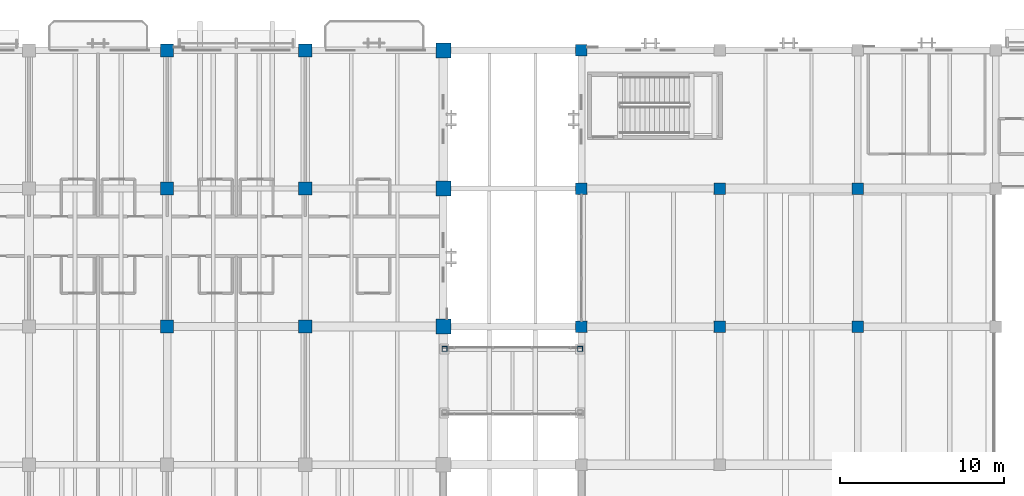
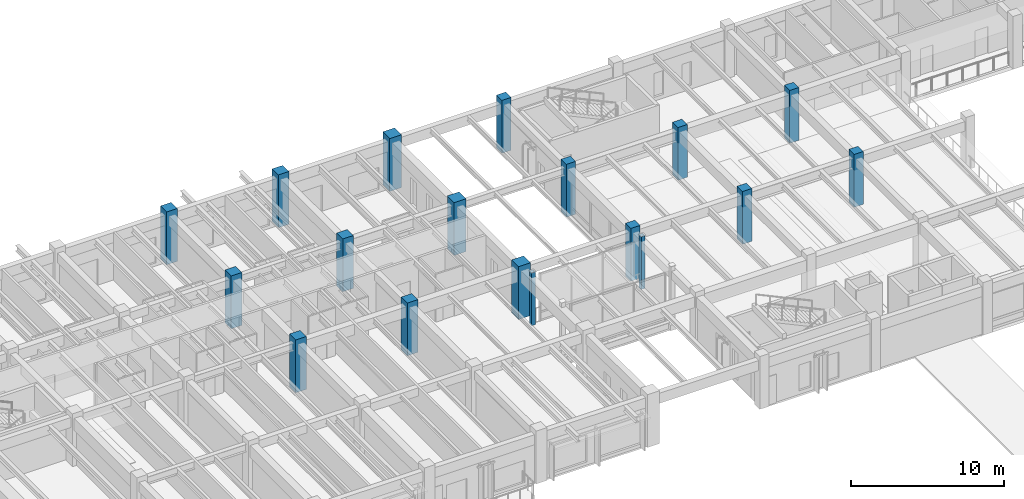
# One storey, part 5 of 132: 18 columns.
"""IFC4 building model written with IfcOpenShell, lengths in metres."""

from ifc_helpers import new_model, si_unit, direction, frame, origin, origin_2d, place, context, subcontext, project, spatial, rectangle, hollow_rectangle, extrude, material, material_profile, profile_set, type_object, element, save


model = new_model("IFC4")

# Units and contexts
model_context = context("Model", 3, precision=1e-05, world=origin(), true_north=direction((0.0, 1.0)))
body_context = subcontext(model_context, "Body", "Model", "MODEL_VIEW")
ifc_project = project(units=[si_unit("LENGTHUNIT", "METRE"), si_unit("AREAUNIT", "SQUARE_METRE"), si_unit("VOLUMEUNIT", "CUBIC_METRE"), si_unit("PLANEANGLEUNIT", "RADIAN"), si_unit("MASSUNIT", "GRAM", prefix="KILO")], contexts=[model_context])

# Site, building, storey
site_placement = place(None, origin())
site = spatial("IfcSite", under=ifc_project, at=site_placement, CompositionType="ELEMENT")
building_placement = place(site_placement, origin())
building = spatial("IfcBuilding", under=site, at=building_placement, Name="Cumbredor Promenade Congress Hotel", CompositionType="ELEMENT")
storey_placement = place(building_placement, frame((0.0, 0.0, 7.56005859375)))
storey = spatial("IfcBuildingStorey", under=building, at=storey_placement, Name="L02", CompositionType="ELEMENT", Elevation=7.56005859375)

# Columns
ifc_material_1 = material(Name="Concrete C40/50", Category="concrete")
ifc_material_profile_1 = material_profile(ifc_material_1, rectangle(XDim=0.699951171875, YDim=0.699951171875, at=origin_2d()), Name="RC 700x700")
ifc_profile_set_1 = profile_set([ifc_material_profile_1], Name="Concrete C40/50")
column_type_1 = type_object("IfcColumnType", Name="COL-RC-700", PredefinedType="COLUMN", material=ifc_profile_set_1)
for number, where, z_axis, x_axis, name in (
    (1, (92.39990234375, 100.800048828125, 0.0), (0.0, 0.0, 1.0), (1.0, 0.0, 0.0), "L02 Structural Column 103"),
    (2, (92.39990234375, 109.199951171875, 0.0), (0.0, 0.0, 1.0), (1.0, 0.0, 0.0), "L02 Structural Column 104"),
    (3, (92.39990234375, 117.60009765625, 0.0), (0.0, 0.0, 1.0), (1.0, 0.0, 0.0), "L02 Structural Column 105"),
    (4, (100.800048828125, 100.800048828125, 0.0), (0.0, 0.0, 1.0), (1.0, 0.0, 0.0), "L02 Structural Column 108"),
    (5, (100.800048828125, 109.199951171875, 0.0), (0.0, 0.0, 1.0), (1.0, 0.0, 0.0), "L02 Structural Column 109"),
    (6, (109.199951171875, 100.800048828125, 0.0), (0.0, 0.0, 1.0), (1.0, 0.0, 0.0), "L02 Structural Column 113"),
    (7, (109.199951171875, 109.199951171875, 0.0), (0.0, 0.0, 1.0), (1.0, 0.0, 0.0), "L02 Structural Column 114"),
):
    element("IfcColumn", number, at=place(storey_placement, frame(where, z_axis=z_axis, x_axis=x_axis)), inside=storey, type_object=column_type_1, Name=name, PredefinedType="COLUMN", context=body_context, shape_type="SweptSolid", body=[
        extrude(rectangle(XDim=0.699951171875, YDim=0.699951171875, at=origin_2d()), origin(), (0.0, 0.0, 1.0), 4.199951171875),
    ])
ifc_material_2 = material(Name="Concrete C50/60", Category="concrete")
ifc_material_profile_2 = material_profile(ifc_material_2, rectangle(XDim=0.800048828125, YDim=0.800048828125, at=origin_2d()), Name="RC 800x800")
ifc_profile_set_2 = profile_set([ifc_material_profile_2], Name="Concrete C50/60")
column_type_2 = type_object("IfcColumnType", Name="COL-RC-800", PredefinedType="COLUMN", material=ifc_profile_set_2)
for number, where, z_axis, x_axis, name in (
    (8, (67.199951171875, 100.800048828125, 0.0), (0.0, 0.0, 1.0), (1.0, 0.0, 0.0), "L02 Structural Column 088"),
    (9, (67.199951171875, 109.199951171875, 0.0), (0.0, 0.0, 1.0), (1.0, 0.0, 0.0), "L02 Structural Column 089"),
    (10, (67.199951171875, 117.60009765625, 0.0), (0.0, 0.0, 1.0), (1.0, 0.0, 0.0), "L02 Structural Column 090"),
    (11, (75.60009765625, 100.800048828125, 0.0), (0.0, 0.0, 1.0), (1.0, 0.0, 0.0), "L02 Structural Column 093"),
    (12, (75.60009765625, 109.199951171875, 0.0), (0.0, 0.0, 1.0), (1.0, 0.0, 0.0), "L02 Structural Column 094"),
    (13, (75.60009765625, 117.60009765625, 0.0), (0.0, 0.0, 1.0), (1.0, 0.0, 0.0), "L02 Structural Column 095"),
):
    element("IfcColumn", number, at=place(storey_placement, frame(where, z_axis=z_axis, x_axis=x_axis)), inside=storey, type_object=column_type_2, Name=name, PredefinedType="COLUMN", context=body_context, shape_type="SweptSolid", body=[
        extrude(rectangle(XDim=0.800048828125, YDim=0.800048828125, at=origin_2d()), origin(), (0.0, 0.0, 1.0), 4.199951171875),
    ])
ifc_material_profile_3 = material_profile(ifc_material_2, rectangle(XDim=0.89990234375, YDim=0.89990234375, at=origin_2d()), Name="RC 900x900")
ifc_profile_set_3 = profile_set([ifc_material_profile_3], Name="Concrete C50/60")
column_type_3 = type_object("IfcColumnType", Name="COL-RC-900", PredefinedType="COLUMN", material=ifc_profile_set_3)
for number, where, z_axis, x_axis, name in (
    (14, (84.0, 100.800048828125, 0.0), (0.0, 0.0, 1.0), (1.0, 0.0, 0.0), "L02 Structural Column 098"),
    (15, (84.0, 109.199951171875, 0.0), (0.0, 0.0, 1.0), (1.0, 0.0, 0.0), "L02 Structural Column 099"),
    (16, (84.0, 117.60009765625, 0.0), (0.0, 0.0, 1.0), (1.0, 0.0, 0.0), "L02 Structural Column 100"),
):
    element("IfcColumn", number, at=place(storey_placement, frame(where, z_axis=z_axis, x_axis=x_axis)), inside=storey, type_object=column_type_3, Name=name, PredefinedType="COLUMN", context=body_context, shape_type="SweptSolid", body=[
        extrude(rectangle(XDim=0.89990234375, YDim=0.89990234375, at=origin_2d()), origin(), (0.0, 0.0, 1.0), 4.199951171875),
    ])
ifc_material_3 = material(Name="Steel ASTM A500 Grade C", Category="steel")
ifc_material_profile_4 = material_profile(ifc_material_3, hollow_rectangle(XDim=0.300048828125, YDim=0.300048828125, WallThickness=0.01611328125, at=origin_2d()), Name="HSS 300x300x16")
ifc_profile_set_4 = profile_set([ifc_material_profile_4], Name="Steel ASTM A500 Grade C")
column_type_4 = type_object("IfcColumnType", Name="COL-STL-HSS300", PredefinedType="COLUMN", material=ifc_profile_set_4)
for number, where, z_axis, x_axis, name in (
    (17, (84.080078125, 99.449951171875, 0.0), (0.0, 0.0, 1.0), (1.0, 0.0, 0.0), "L02 North Hotel-to-Forum Glazed Bridge Support Column 2"),
    (18, (92.320068359375, 99.449951171875, 0.0), (0.0, 0.0, 1.0), (1.0, 0.0, 0.0), "L02 North Hotel-to-Forum Glazed Bridge Support Column 4"),
):
    element("IfcColumn", number, at=place(storey_placement, frame(where, z_axis=z_axis, x_axis=x_axis)), inside=storey, type_object=column_type_4, Name=name, PredefinedType="COLUMN", context=body_context, shape_type="SweptSolid", body=[
        extrude(hollow_rectangle(XDim=0.300048828125, YDim=0.300048828125, WallThickness=0.01611328125, at=origin_2d()), origin(), (0.0, 0.0, 1.0), 4.199951171875),
    ])

save(model, "model.ifc")
